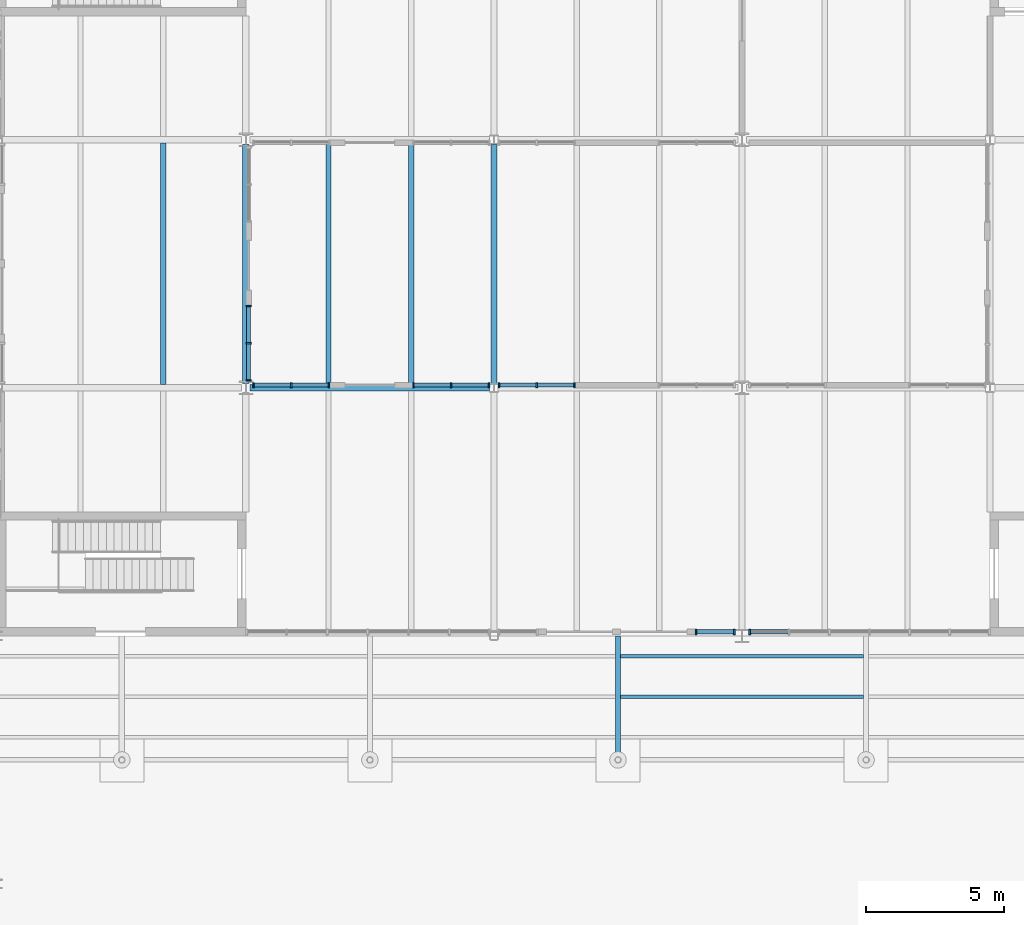
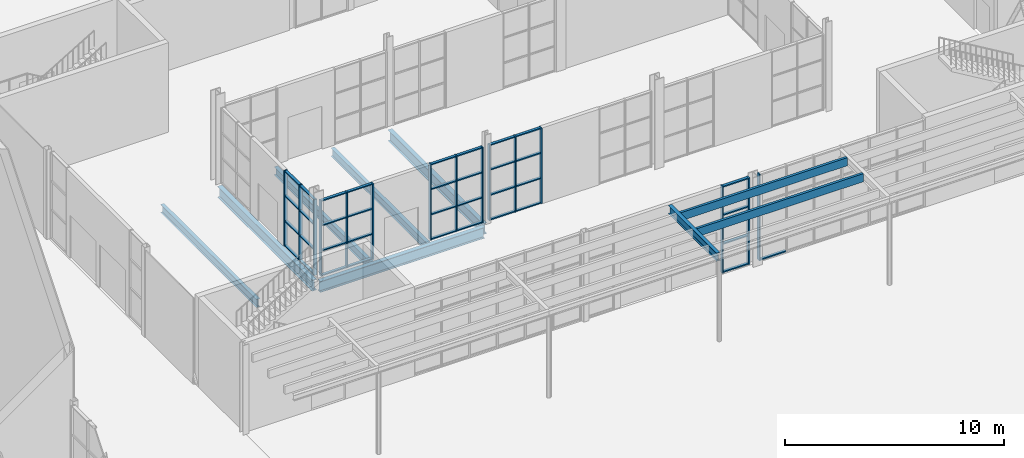
# One storey, part 14 of 63: 52 members, 9 beams, 6 elements without a shape of their own.
"""IFC4 building model written with IfcOpenShell, lengths in metres."""

from ifc_helpers import new_model, si_unit, direction, frame, origin, origin_2d, place, context, subcontext, project, spatial, rectangle, i_section, extrude, material, layer, layer_set, material_profile, profile_set, type_object, element, aggregate, save


model = new_model("IFC4")

# Units and contexts
model_context = context("Model", 3, precision=1e-05, world=origin(), true_north=direction((0.0, 1.0)))
body_context = subcontext(model_context, "Body", "Model", "MODEL_VIEW")
ifc_project = project(units=[si_unit("LENGTHUNIT", "METRE"), si_unit("AREAUNIT", "SQUARE_METRE"), si_unit("VOLUMEUNIT", "CUBIC_METRE"), si_unit("PLANEANGLEUNIT", "RADIAN"), si_unit("MASSUNIT", "GRAM", prefix="KILO")], contexts=[model_context])

# Site, building, storey
site_placement = place(None, origin())
site = spatial("IfcSite", under=ifc_project, at=site_placement, CompositionType="ELEMENT")
building_placement = place(site_placement, origin())
building = spatial("IfcBuilding", under=site, at=building_placement, Name="Halyard Row Museum", CompositionType="ELEMENT")
storey_placement = place(building_placement, origin())
storey = spatial("IfcBuildingStorey", under=building, at=storey_placement, Name="L00", CompositionType="ELEMENT", Elevation=0.0)

# Beams
ifc_material_1 = material(Name="Steel Grade 300", Category="steel")
ifc_material_profile_1 = material_profile(ifc_material_1, i_section(OverallWidth=0.18994140625, OverallDepth=0.453857421875, WebThickness=0.008544921875, FlangeThickness=0.0126953125, FilletRadius=0.011474609375, at=origin_2d()), Name="460UB67.1")
ifc_profile_set_1 = profile_set([ifc_material_profile_1], Name="Steel Grade 300")
beam_type_1 = type_object("IfcBeamType", Name="Canopy primary beam 460UB67.1", PredefinedType="BEAM", material=ifc_profile_set_1)
beam_1_placement = place(storey_placement, frame((49.5, 13.5830078125, 4.623046875), z_axis=(0.0, 1.0, 0.0), x_axis=(-1.0, 0.0, 0.0)))
element("IfcBeam", 1, at=beam_1_placement, inside=storey, type_object=beam_type_1, Name="Canopy primary beam 49.5", PredefinedType="BEAM", context=body_context, shape_type="SweptSolid", body=[
    extrude(i_section(OverallWidth=0.18994140625, OverallDepth=0.453857421875, WebThickness=0.008544921875, FlangeThickness=0.0126953125, FilletRadius=0.011474609375, at=origin_2d()), origin(), (0.0, 0.0, 1.0), 4.4169921875),
])
ifc_material_2 = material(Name="Glulam GL12 radiata pine", Category="wood")
ifc_material_profile_2 = material_profile(ifc_material_2, rectangle(XDim=0.135009765625, YDim=0.449951171875, at=origin_2d()), Name="GL12 135x450")
ifc_profile_set_2 = profile_set([ifc_material_profile_2], Name="Glulam GL12 radiata pine")
beam_type_2 = type_object("IfcBeamType", Name="Canopy soffit joist GL12 135x450", PredefinedType="JOIST", material=ifc_profile_set_2)
for number, where, z_axis, x_axis, name in (
    (2, (49.594970703125, 15.79150390625, 4.625), (1.0, 0.0, 0.0), (0.0, 1.0, 0.0), "Canopy soffit joist 4.2"),
    (3, (49.594970703125, 17.263916015625, 4.625), (1.0, 0.0, 0.0), (0.0, 1.0, 0.0), "Canopy soffit joist 4.3"),
):
    element("IfcBeam", number, at=place(storey_placement, frame(where, z_axis=z_axis, x_axis=x_axis)), inside=storey, type_object=beam_type_2, Name=name, PredefinedType="JOIST", context=body_context, shape_type="SweptSolid", body=[
        extrude(rectangle(XDim=0.135009765625, YDim=0.449951171875, at=origin_2d()), origin(), (0.0, 0.0, 1.0), 8.81005859375),
    ])

# Curtain wall, members
ifc_material_3 = material(Name="Double glazed unit, low-emissivity", Category="glass")
ifc_layer_1 = layer(ifc_material_3, 0.199951171875)
ifc_layer_set_1 = layer_set([ifc_layer_1], Name="Double glazed unit, low-emissivity")
curtain_wall_type_1 = type_object("IfcCurtainWallType", Name="Curtain wall shopfront 200 deep", PredefinedType="NOTDEFINED", material=ifc_layer_set_1)
curtain_wall_1_placement = place(storey_placement, origin())
curtain_wall_1 = element("IfcCurtainWall", 4, at=curtain_wall_1_placement, inside=storey, type_object=curtain_wall_type_1, Name="Curtain wall CW015", PredefinedType="NOTDEFINED")
ifc_material_4 = material(Name="Powder-coated aluminium section", Category="aluminium")
ifc_material_profile_3 = material_profile(ifc_material_4, rectangle(XDim=0.199951171875, YDim=0.06494140625, at=origin_2d()), Name="200x65 mullion")
ifc_profile_set_3 = profile_set([ifc_material_profile_3], Name="Powder-coated aluminium section")
member_type_1 = type_object("IfcMemberType", Name="Curtain wall mullion CM1 65 x 200", PredefinedType="MULLION", material=ifc_profile_set_3)
member_1_placement = place(storey_placement, frame((52.33251953125, 18.14990234375, 0.0), z_axis=(0.0, 0.0, 1.0), x_axis=(0.0, 1.0, 0.0)))
member_1 = element("IfcMember", 5, at=member_1_placement, type_object=member_type_1, Name="CW015 mullion 1", PredefinedType="MULLION", context=body_context, shape_type="SweptSolid", body=[
    extrude(rectangle(XDim=0.199951171875, YDim=0.06494140625, at=origin_2d()), origin(), (0.0, 0.0, 1.0), 4.8349609375),
])
member_2_placement = place(storey_placement, frame((53.717529296875, 18.14990234375, 0.0), z_axis=(0.0, 0.0, 1.0), x_axis=(0.0, 1.0, 0.0)))
member_2 = element("IfcMember", 6, at=member_2_placement, type_object=member_type_1, Name="CW015 mullion 2", PredefinedType="MULLION", context=body_context, shape_type="SweptSolid", body=[
    extrude(rectangle(XDim=0.199951171875, YDim=0.06494140625, at=origin_2d()), origin(), (0.0, 0.0, 1.0), 4.8349609375),
])

# Curtain wall, member
curtain_wall_2_placement = place(storey_placement, origin())
curtain_wall_2 = element("IfcCurtainWall", 7, at=curtain_wall_2_placement, inside=storey, type_object=curtain_wall_type_1, Name="Curtain wall CW016", PredefinedType="NOTDEFINED")
member_3_placement = place(storey_placement, frame((54.282470703125, 18.14990234375, 0.0), z_axis=(0.0, 0.0, 1.0), x_axis=(0.0, 1.0, 0.0)))
member_3 = element("IfcMember", 8, at=member_3_placement, type_object=member_type_1, Name="CW016 mullion 1", PredefinedType="MULLION", context=body_context, shape_type="SweptSolid", body=[
    extrude(rectangle(XDim=0.199951171875, YDim=0.06494140625, at=origin_2d()), origin(), (0.0, 0.0, 1.0), 4.8349609375),
])

# Curtain wall, members
ifc_material_5 = material(Name="Double glazed unit, low-emissivity", Category="glass")
ifc_layer_2 = layer(ifc_material_5, 0.179931640625)
ifc_layer_set_2 = layer_set([ifc_layer_2], Name="Double glazed unit, low-emissivity")
curtain_wall_type_2 = type_object("IfcCurtainWallType", Name="Curtain wall stick 180 deep", PredefinedType="NOTDEFINED", material=ifc_layer_set_2)
curtain_wall_3_placement = place(storey_placement, origin())
curtain_wall_3 = element("IfcCurtainWall", 9, at=curtain_wall_3_placement, inside=storey, type_object=curtain_wall_type_2, Name="Curtain wall CW120", PredefinedType="NOTDEFINED")
ifc_material_6 = material(Name="Powder-coated aluminium section", Category="aluminium")
ifc_material_profile_4 = material_profile(ifc_material_6, rectangle(XDim=0.179931640625, YDim=0.06005859375, at=origin_2d()), Name="180x60 mullion")
ifc_profile_set_4 = profile_set([ifc_material_profile_4], Name="Powder-coated aluminium section")
member_type_2 = type_object("IfcMemberType", Name="Curtain wall mullion CM2 60 x 180", PredefinedType="MULLION", material=ifc_profile_set_4)
member_4_placement = place(storey_placement, frame((36.280029296875, 27.10009765625, 0.0), z_axis=(0.0, 0.0, 1.0), x_axis=(0.0, 1.0, 0.0)))
member_4 = element("IfcMember", 10, at=member_4_placement, type_object=member_type_2, Name="CW120 mullion 1", PredefinedType="MULLION", context=body_context, shape_type="SweptSolid", body=[
    extrude(rectangle(XDim=0.179931640625, YDim=0.06005859375, at=origin_2d()), origin(), (0.0, 0.0, 1.0), 4.22802734375),
])
member_5_placement = place(storey_placement, frame((37.64892578125, 27.10009765625, 0.0), z_axis=(0.0, 0.0, 1.0), x_axis=(0.0, 1.0, 0.0)))
member_5 = element("IfcMember", 11, at=member_5_placement, type_object=member_type_2, Name="CW120 mullion 2", PredefinedType="MULLION", context=body_context, shape_type="SweptSolid", body=[
    extrude(rectangle(XDim=0.179931640625, YDim=0.06005859375, at=origin_2d()), origin(), (0.0, 0.0, 1.0), 4.22802734375),
])
member_6_placement = place(storey_placement, frame((39.017822265625, 27.10009765625, 0.0), z_axis=(0.0, 0.0, 1.0), x_axis=(0.0, 1.0, 0.0)))
member_6 = element("IfcMember", 12, at=member_6_placement, type_object=member_type_2, Name="CW120 mullion 3", PredefinedType="MULLION", context=body_context, shape_type="SweptSolid", body=[
    extrude(rectangle(XDim=0.179931640625, YDim=0.06005859375, at=origin_2d()), origin(), (0.0, 0.0, 1.0), 4.22802734375),
])

curtain_wall_4_placement = place(storey_placement, origin())
curtain_wall_4 = element("IfcCurtainWall", 13, at=curtain_wall_4_placement, inside=storey, type_object=curtain_wall_type_2, Name="Curtain wall CW121", PredefinedType="NOTDEFINED")
member_7_placement = place(storey_placement, frame((42.07763671875, 27.10009765625, 0.0), z_axis=(0.0, 0.0, 1.0), x_axis=(0.0, 1.0, 0.0)))
member_7 = element("IfcMember", 14, at=member_7_placement, type_object=member_type_2, Name="CW121 mullion 1", PredefinedType="MULLION", context=body_context, shape_type="SweptSolid", body=[
    extrude(rectangle(XDim=0.179931640625, YDim=0.06005859375, at=origin_2d()), origin(), (0.0, 0.0, 1.0), 4.22802734375),
])
member_8_placement = place(storey_placement, frame((43.446533203125, 27.10009765625, 0.0), z_axis=(0.0, 0.0, 1.0), x_axis=(0.0, 1.0, 0.0)))
member_8 = element("IfcMember", 15, at=member_8_placement, type_object=member_type_2, Name="CW121 mullion 2", PredefinedType="MULLION", context=body_context, shape_type="SweptSolid", body=[
    extrude(rectangle(XDim=0.179931640625, YDim=0.06005859375, at=origin_2d()), origin(), (0.0, 0.0, 1.0), 4.22802734375),
])
member_9_placement = place(storey_placement, frame((44.8154296875, 27.10009765625, 0.0), z_axis=(0.0, 0.0, 1.0), x_axis=(0.0, 1.0, 0.0)))
member_9 = element("IfcMember", 16, at=member_9_placement, type_object=member_type_2, Name="CW121 mullion 3", PredefinedType="MULLION", context=body_context, shape_type="SweptSolid", body=[
    extrude(rectangle(XDim=0.179931640625, YDim=0.06005859375, at=origin_2d()), origin(), (0.0, 0.0, 1.0), 4.22802734375),
])

curtain_wall_5_placement = place(storey_placement, origin())
curtain_wall_5 = element("IfcCurtainWall", 17, at=curtain_wall_5_placement, inside=storey, type_object=curtain_wall_type_2, Name="Curtain wall CW122", PredefinedType="NOTDEFINED")
member_10_placement = place(storey_placement, frame((45.1845703125, 27.10009765625, 0.0), z_axis=(0.0, 0.0, 1.0), x_axis=(0.0, 1.0, 0.0)))
member_10 = element("IfcMember", 18, at=member_10_placement, type_object=member_type_2, Name="CW122 mullion 1", PredefinedType="MULLION", context=body_context, shape_type="SweptSolid", body=[
    extrude(rectangle(XDim=0.179931640625, YDim=0.06005859375, at=origin_2d()), origin(), (0.0, 0.0, 1.0), 4.22802734375),
])
member_11_placement = place(storey_placement, frame((46.553466796875, 27.10009765625, 0.0), z_axis=(0.0, 0.0, 1.0), x_axis=(0.0, 1.0, 0.0)))
member_11 = element("IfcMember", 19, at=member_11_placement, type_object=member_type_2, Name="CW122 mullion 2", PredefinedType="MULLION", context=body_context, shape_type="SweptSolid", body=[
    extrude(rectangle(XDim=0.179931640625, YDim=0.06005859375, at=origin_2d()), origin(), (0.0, 0.0, 1.0), 4.22802734375),
])
member_12_placement = place(storey_placement, frame((47.92236328125, 27.10009765625, 0.0), z_axis=(0.0, 0.0, 1.0), x_axis=(0.0, 1.0, 0.0)))
member_12 = element("IfcMember", 20, at=member_12_placement, type_object=member_type_2, Name="CW122 mullion 3", PredefinedType="MULLION", context=body_context, shape_type="SweptSolid", body=[
    extrude(rectangle(XDim=0.179931640625, YDim=0.06005859375, at=origin_2d()), origin(), (0.0, 0.0, 1.0), 4.22802734375),
])

curtain_wall_6_placement = place(storey_placement, origin())
curtain_wall_6 = element("IfcCurtainWall", 21, at=curtain_wall_6_placement, inside=storey, type_object=curtain_wall_type_2, Name="Curtain wall CW126", PredefinedType="NOTDEFINED")
member_13_placement = place(storey_placement, frame((36.10009765625, 27.27001953125, 0.0), z_axis=(0.0, 0.0, 1.0), x_axis=(-1.0, 0.0, 0.0)))
member_13 = element("IfcMember", 22, at=member_13_placement, type_object=member_type_2, Name="CW126 mullion 1", PredefinedType="MULLION", context=body_context, shape_type="SweptSolid", body=[
    extrude(rectangle(XDim=0.179931640625, YDim=0.06005859375, at=origin_2d()), origin(), (0.0, 0.0, 1.0), 4.22802734375),
])
member_14_placement = place(storey_placement, frame((36.10009765625, 28.6201171875, 0.0), z_axis=(0.0, 0.0, 1.0), x_axis=(-1.0, 0.0, 0.0)))
member_14 = element("IfcMember", 23, at=member_14_placement, type_object=member_type_2, Name="CW126 mullion 2", PredefinedType="MULLION", context=body_context, shape_type="SweptSolid", body=[
    extrude(rectangle(XDim=0.179931640625, YDim=0.06005859375, at=origin_2d()), origin(), (0.0, 0.0, 1.0), 4.22802734375),
])
member_15_placement = place(storey_placement, frame((36.10009765625, 29.969970703125, 0.0), z_axis=(0.0, 0.0, 1.0), x_axis=(-1.0, 0.0, 0.0)))
member_15 = element("IfcMember", 24, at=member_15_placement, type_object=member_type_2, Name="CW126 mullion 3", PredefinedType="MULLION", context=body_context, shape_type="SweptSolid", body=[
    extrude(rectangle(XDim=0.179931640625, YDim=0.06005859375, at=origin_2d()), origin(), (0.0, 0.0, 1.0), 4.22802734375),
])

# Member
ifc_material_7 = material(Name="Powder-coated aluminium section", Category="aluminium")
ifc_material_profile_5 = material_profile(ifc_material_7, rectangle(XDim=0.14990234375, YDim=0.06494140625, at=origin_2d()), Name="150x65 transom")
ifc_profile_set_5 = profile_set([ifc_material_profile_5], Name="Powder-coated aluminium section")
member_type_3 = type_object("IfcMemberType", Name="Curtain wall transom CT1 65 x 150", PredefinedType="USERDEFINED", material=ifc_profile_set_5)
member_16_placement = place(storey_placement, frame((52.364990234375, 18.14990234375, 0.032470703125), z_axis=(1.0, 0.0, 0.0), x_axis=(0.0, 1.0, 0.0)))
member_16 = element("IfcMember", 25, at=member_16_placement, type_object=member_type_3, Name="CW015 transom 1.1", ObjectType="TRANSOM", PredefinedType="USERDEFINED", context=body_context, shape_type="SweptSolid", body=[
    extrude(rectangle(XDim=0.14990234375, YDim=0.06494140625, at=origin_2d()), origin(), (0.0, 0.0, 1.0), 1.320068359375),
])

member_17_placement = place(storey_placement, frame((52.364990234375, 18.14990234375, 1.611572265625), z_axis=(1.0, 0.0, 0.0), x_axis=(0.0, 1.0, 0.0)))
member_17 = element("IfcMember", 26, at=member_17_placement, type_object=member_type_3, Name="CW015 transom 1.2", ObjectType="TRANSOM", PredefinedType="USERDEFINED", context=body_context, shape_type="SweptSolid", body=[
    extrude(rectangle(XDim=0.14990234375, YDim=0.06494140625, at=origin_2d()), origin(), (0.0, 0.0, 1.0), 1.320068359375),
])

member_18_placement = place(storey_placement, frame((52.364990234375, 18.14990234375, 3.223388671875), z_axis=(1.0, 0.0, 0.0), x_axis=(0.0, 1.0, 0.0)))
member_18 = element("IfcMember", 27, at=member_18_placement, type_object=member_type_3, Name="CW015 transom 1.3", ObjectType="TRANSOM", PredefinedType="USERDEFINED", context=body_context, shape_type="SweptSolid", body=[
    extrude(rectangle(XDim=0.14990234375, YDim=0.06494140625, at=origin_2d()), origin(), (0.0, 0.0, 1.0), 1.320068359375),
])

member_19_placement = place(storey_placement, frame((52.364990234375, 18.14990234375, 4.802490234375), z_axis=(1.0, 0.0, 0.0), x_axis=(0.0, 1.0, 0.0)))
member_19 = element("IfcMember", 28, at=member_19_placement, type_object=member_type_3, Name="CW015 transom 1.4", ObjectType="TRANSOM", PredefinedType="USERDEFINED", context=body_context, shape_type="SweptSolid", body=[
    extrude(rectangle(XDim=0.14990234375, YDim=0.06494140625, at=origin_2d()), origin(), (0.0, 0.0, 1.0), 1.320068359375),
])

aggregate(curtain_wall_1, [member_1, member_2, member_16, member_17, member_18, member_19])

member_20_placement = place(storey_placement, frame((54.31494140625, 18.14990234375, 0.032470703125), z_axis=(1.0, 0.0, 0.0), x_axis=(0.0, 1.0, 0.0)))
member_20 = element("IfcMember", 29, at=member_20_placement, type_object=member_type_3, Name="CW016 transom 1.1", ObjectType="TRANSOM", PredefinedType="USERDEFINED", context=body_context, shape_type="SweptSolid", body=[
    extrude(rectangle(XDim=0.14990234375, YDim=0.06494140625, at=origin_2d()), origin(), (0.0, 0.0, 1.0), 1.36083984375),
])

aggregate(curtain_wall_2, [member_3, member_20])

ifc_material_8 = material(Name="Powder-coated aluminium section", Category="aluminium")
ifc_material_profile_6 = material_profile(ifc_material_8, rectangle(XDim=0.139892578125, YDim=0.06005859375, at=origin_2d()), Name="140x60 transom")
ifc_profile_set_6 = profile_set([ifc_material_profile_6], Name="Powder-coated aluminium section")
member_type_4 = type_object("IfcMemberType", Name="Curtain wall transom CT2 60 x 140", PredefinedType="USERDEFINED", material=ifc_profile_set_6)
member_21_placement = place(storey_placement, frame((36.31005859375, 27.10009765625, 0.030029296875), z_axis=(1.0, 0.0, 0.0), x_axis=(0.0, 1.0, 0.0)))
member_21 = element("IfcMember", 30, at=member_21_placement, type_object=member_type_4, Name="CW120 transom 1.1", ObjectType="TRANSOM", PredefinedType="USERDEFINED", context=body_context, shape_type="SweptSolid", body=[
    extrude(rectangle(XDim=0.139892578125, YDim=0.06005859375, at=origin_2d()), origin(), (0.0, 0.0, 1.0), 1.308837890625),
])

member_22_placement = place(storey_placement, frame((36.31005859375, 27.10009765625, 1.409423828125), z_axis=(1.0, 0.0, 0.0), x_axis=(0.0, 1.0, 0.0)))
member_22 = element("IfcMember", 31, at=member_22_placement, type_object=member_type_4, Name="CW120 transom 1.2", ObjectType="TRANSOM", PredefinedType="USERDEFINED", context=body_context, shape_type="SweptSolid", body=[
    extrude(rectangle(XDim=0.139892578125, YDim=0.06005859375, at=origin_2d()), origin(), (0.0, 0.0, 1.0), 1.308837890625),
])

member_23_placement = place(storey_placement, frame((36.31005859375, 27.10009765625, 2.818603515625), z_axis=(1.0, 0.0, 0.0), x_axis=(0.0, 1.0, 0.0)))
member_23 = element("IfcMember", 32, at=member_23_placement, type_object=member_type_4, Name="CW120 transom 1.3", ObjectType="TRANSOM", PredefinedType="USERDEFINED", context=body_context, shape_type="SweptSolid", body=[
    extrude(rectangle(XDim=0.139892578125, YDim=0.06005859375, at=origin_2d()), origin(), (0.0, 0.0, 1.0), 1.308837890625),
])

member_24_placement = place(storey_placement, frame((36.31005859375, 27.10009765625, 4.197998046875), z_axis=(1.0, 0.0, 0.0), x_axis=(0.0, 1.0, 0.0)))
member_24 = element("IfcMember", 33, at=member_24_placement, type_object=member_type_4, Name="CW120 transom 1.4", ObjectType="TRANSOM", PredefinedType="USERDEFINED", context=body_context, shape_type="SweptSolid", body=[
    extrude(rectangle(XDim=0.139892578125, YDim=0.06005859375, at=origin_2d()), origin(), (0.0, 0.0, 1.0), 1.308837890625),
])

member_25_placement = place(storey_placement, frame((37.678955078125, 27.10009765625, 0.030029296875), z_axis=(1.0, 0.0, 0.0), x_axis=(0.0, 1.0, 0.0)))
member_25 = element("IfcMember", 34, at=member_25_placement, type_object=member_type_4, Name="CW120 transom 2.1", ObjectType="TRANSOM", PredefinedType="USERDEFINED", context=body_context, shape_type="SweptSolid", body=[
    extrude(rectangle(XDim=0.139892578125, YDim=0.06005859375, at=origin_2d()), origin(), (0.0, 0.0, 1.0), 1.308837890625),
])

member_26_placement = place(storey_placement, frame((37.678955078125, 27.10009765625, 1.409423828125), z_axis=(1.0, 0.0, 0.0), x_axis=(0.0, 1.0, 0.0)))
member_26 = element("IfcMember", 35, at=member_26_placement, type_object=member_type_4, Name="CW120 transom 2.2", ObjectType="TRANSOM", PredefinedType="USERDEFINED", context=body_context, shape_type="SweptSolid", body=[
    extrude(rectangle(XDim=0.139892578125, YDim=0.06005859375, at=origin_2d()), origin(), (0.0, 0.0, 1.0), 1.308837890625),
])

member_27_placement = place(storey_placement, frame((37.678955078125, 27.10009765625, 2.818603515625), z_axis=(1.0, 0.0, 0.0), x_axis=(0.0, 1.0, 0.0)))
member_27 = element("IfcMember", 36, at=member_27_placement, type_object=member_type_4, Name="CW120 transom 2.3", ObjectType="TRANSOM", PredefinedType="USERDEFINED", context=body_context, shape_type="SweptSolid", body=[
    extrude(rectangle(XDim=0.139892578125, YDim=0.06005859375, at=origin_2d()), origin(), (0.0, 0.0, 1.0), 1.308837890625),
])

member_28_placement = place(storey_placement, frame((37.678955078125, 27.10009765625, 4.197998046875), z_axis=(1.0, 0.0, 0.0), x_axis=(0.0, 1.0, 0.0)))
member_28 = element("IfcMember", 37, at=member_28_placement, type_object=member_type_4, Name="CW120 transom 2.4", ObjectType="TRANSOM", PredefinedType="USERDEFINED", context=body_context, shape_type="SweptSolid", body=[
    extrude(rectangle(XDim=0.139892578125, YDim=0.06005859375, at=origin_2d()), origin(), (0.0, 0.0, 1.0), 1.308837890625),
])

aggregate(curtain_wall_3, [member_4, member_5, member_6, member_21, member_22, member_23, member_24, member_25, member_26, member_27, member_28])

member_29_placement = place(storey_placement, frame((42.107666015625, 27.10009765625, 0.030029296875), z_axis=(1.0, 0.0, 0.0), x_axis=(0.0, 1.0, 0.0)))
member_29 = element("IfcMember", 38, at=member_29_placement, type_object=member_type_4, Name="CW121 transom 1.1", ObjectType="TRANSOM", PredefinedType="USERDEFINED", context=body_context, shape_type="SweptSolid", body=[
    extrude(rectangle(XDim=0.139892578125, YDim=0.06005859375, at=origin_2d()), origin(), (0.0, 0.0, 1.0), 1.308837890625),
])

member_30_placement = place(storey_placement, frame((42.107666015625, 27.10009765625, 1.409423828125), z_axis=(1.0, 0.0, 0.0), x_axis=(0.0, 1.0, 0.0)))
member_30 = element("IfcMember", 39, at=member_30_placement, type_object=member_type_4, Name="CW121 transom 1.2", ObjectType="TRANSOM", PredefinedType="USERDEFINED", context=body_context, shape_type="SweptSolid", body=[
    extrude(rectangle(XDim=0.139892578125, YDim=0.06005859375, at=origin_2d()), origin(), (0.0, 0.0, 1.0), 1.308837890625),
])

member_31_placement = place(storey_placement, frame((42.107666015625, 27.10009765625, 2.818603515625), z_axis=(1.0, 0.0, 0.0), x_axis=(0.0, 1.0, 0.0)))
member_31 = element("IfcMember", 40, at=member_31_placement, type_object=member_type_4, Name="CW121 transom 1.3", ObjectType="TRANSOM", PredefinedType="USERDEFINED", context=body_context, shape_type="SweptSolid", body=[
    extrude(rectangle(XDim=0.139892578125, YDim=0.06005859375, at=origin_2d()), origin(), (0.0, 0.0, 1.0), 1.308837890625),
])

member_32_placement = place(storey_placement, frame((42.107666015625, 27.10009765625, 4.197998046875), z_axis=(1.0, 0.0, 0.0), x_axis=(0.0, 1.0, 0.0)))
member_32 = element("IfcMember", 41, at=member_32_placement, type_object=member_type_4, Name="CW121 transom 1.4", ObjectType="TRANSOM", PredefinedType="USERDEFINED", context=body_context, shape_type="SweptSolid", body=[
    extrude(rectangle(XDim=0.139892578125, YDim=0.06005859375, at=origin_2d()), origin(), (0.0, 0.0, 1.0), 1.308837890625),
])

member_33_placement = place(storey_placement, frame((43.4765625, 27.10009765625, 0.030029296875), z_axis=(1.0, 0.0, 0.0), x_axis=(0.0, 1.0, 0.0)))
member_33 = element("IfcMember", 42, at=member_33_placement, type_object=member_type_4, Name="CW121 transom 2.1", ObjectType="TRANSOM", PredefinedType="USERDEFINED", context=body_context, shape_type="SweptSolid", body=[
    extrude(rectangle(XDim=0.139892578125, YDim=0.06005859375, at=origin_2d()), origin(), (0.0, 0.0, 1.0), 1.308837890625),
])

member_34_placement = place(storey_placement, frame((43.4765625, 27.10009765625, 1.409423828125), z_axis=(1.0, 0.0, 0.0), x_axis=(0.0, 1.0, 0.0)))
member_34 = element("IfcMember", 43, at=member_34_placement, type_object=member_type_4, Name="CW121 transom 2.2", ObjectType="TRANSOM", PredefinedType="USERDEFINED", context=body_context, shape_type="SweptSolid", body=[
    extrude(rectangle(XDim=0.139892578125, YDim=0.06005859375, at=origin_2d()), origin(), (0.0, 0.0, 1.0), 1.308837890625),
])

member_35_placement = place(storey_placement, frame((43.4765625, 27.10009765625, 2.818603515625), z_axis=(1.0, 0.0, 0.0), x_axis=(0.0, 1.0, 0.0)))
member_35 = element("IfcMember", 44, at=member_35_placement, type_object=member_type_4, Name="CW121 transom 2.3", ObjectType="TRANSOM", PredefinedType="USERDEFINED", context=body_context, shape_type="SweptSolid", body=[
    extrude(rectangle(XDim=0.139892578125, YDim=0.06005859375, at=origin_2d()), origin(), (0.0, 0.0, 1.0), 1.308837890625),
])

member_36_placement = place(storey_placement, frame((43.4765625, 27.10009765625, 4.197998046875), z_axis=(1.0, 0.0, 0.0), x_axis=(0.0, 1.0, 0.0)))
member_36 = element("IfcMember", 45, at=member_36_placement, type_object=member_type_4, Name="CW121 transom 2.4", ObjectType="TRANSOM", PredefinedType="USERDEFINED", context=body_context, shape_type="SweptSolid", body=[
    extrude(rectangle(XDim=0.139892578125, YDim=0.06005859375, at=origin_2d()), origin(), (0.0, 0.0, 1.0), 1.308837890625),
])

aggregate(curtain_wall_4, [member_7, member_8, member_9, member_29, member_30, member_31, member_32, member_33, member_34, member_35, member_36])

member_37_placement = place(storey_placement, frame((45.214599609375, 27.10009765625, 0.030029296875), z_axis=(1.0, 0.0, 0.0), x_axis=(0.0, 1.0, 0.0)))
member_37 = element("IfcMember", 46, at=member_37_placement, type_object=member_type_4, Name="CW122 transom 1.1", ObjectType="TRANSOM", PredefinedType="USERDEFINED", context=body_context, shape_type="SweptSolid", body=[
    extrude(rectangle(XDim=0.139892578125, YDim=0.06005859375, at=origin_2d()), origin(), (0.0, 0.0, 1.0), 1.308837890625),
])

member_38_placement = place(storey_placement, frame((45.214599609375, 27.10009765625, 1.409423828125), z_axis=(1.0, 0.0, 0.0), x_axis=(0.0, 1.0, 0.0)))
member_38 = element("IfcMember", 47, at=member_38_placement, type_object=member_type_4, Name="CW122 transom 1.2", ObjectType="TRANSOM", PredefinedType="USERDEFINED", context=body_context, shape_type="SweptSolid", body=[
    extrude(rectangle(XDim=0.139892578125, YDim=0.06005859375, at=origin_2d()), origin(), (0.0, 0.0, 1.0), 1.308837890625),
])

member_39_placement = place(storey_placement, frame((45.214599609375, 27.10009765625, 2.818603515625), z_axis=(1.0, 0.0, 0.0), x_axis=(0.0, 1.0, 0.0)))
member_39 = element("IfcMember", 48, at=member_39_placement, type_object=member_type_4, Name="CW122 transom 1.3", ObjectType="TRANSOM", PredefinedType="USERDEFINED", context=body_context, shape_type="SweptSolid", body=[
    extrude(rectangle(XDim=0.139892578125, YDim=0.06005859375, at=origin_2d()), origin(), (0.0, 0.0, 1.0), 1.308837890625),
])

member_40_placement = place(storey_placement, frame((45.214599609375, 27.10009765625, 4.197998046875), z_axis=(1.0, 0.0, 0.0), x_axis=(0.0, 1.0, 0.0)))
member_40 = element("IfcMember", 49, at=member_40_placement, type_object=member_type_4, Name="CW122 transom 1.4", ObjectType="TRANSOM", PredefinedType="USERDEFINED", context=body_context, shape_type="SweptSolid", body=[
    extrude(rectangle(XDim=0.139892578125, YDim=0.06005859375, at=origin_2d()), origin(), (0.0, 0.0, 1.0), 1.308837890625),
])

member_41_placement = place(storey_placement, frame((46.58349609375, 27.10009765625, 0.030029296875), z_axis=(1.0, 0.0, 0.0), x_axis=(0.0, 1.0, 0.0)))
member_41 = element("IfcMember", 50, at=member_41_placement, type_object=member_type_4, Name="CW122 transom 2.1", ObjectType="TRANSOM", PredefinedType="USERDEFINED", context=body_context, shape_type="SweptSolid", body=[
    extrude(rectangle(XDim=0.139892578125, YDim=0.06005859375, at=origin_2d()), origin(), (0.0, 0.0, 1.0), 1.308837890625),
])

member_42_placement = place(storey_placement, frame((46.58349609375, 27.10009765625, 1.409423828125), z_axis=(1.0, 0.0, 0.0), x_axis=(0.0, 1.0, 0.0)))
member_42 = element("IfcMember", 51, at=member_42_placement, type_object=member_type_4, Name="CW122 transom 2.2", ObjectType="TRANSOM", PredefinedType="USERDEFINED", context=body_context, shape_type="SweptSolid", body=[
    extrude(rectangle(XDim=0.139892578125, YDim=0.06005859375, at=origin_2d()), origin(), (0.0, 0.0, 1.0), 1.308837890625),
])

member_43_placement = place(storey_placement, frame((46.58349609375, 27.10009765625, 2.818603515625), z_axis=(1.0, 0.0, 0.0), x_axis=(0.0, 1.0, 0.0)))
member_43 = element("IfcMember", 52, at=member_43_placement, type_object=member_type_4, Name="CW122 transom 2.3", ObjectType="TRANSOM", PredefinedType="USERDEFINED", context=body_context, shape_type="SweptSolid", body=[
    extrude(rectangle(XDim=0.139892578125, YDim=0.06005859375, at=origin_2d()), origin(), (0.0, 0.0, 1.0), 1.308837890625),
])

member_44_placement = place(storey_placement, frame((46.58349609375, 27.10009765625, 4.197998046875), z_axis=(1.0, 0.0, 0.0), x_axis=(0.0, 1.0, 0.0)))
member_44 = element("IfcMember", 53, at=member_44_placement, type_object=member_type_4, Name="CW122 transom 2.4", ObjectType="TRANSOM", PredefinedType="USERDEFINED", context=body_context, shape_type="SweptSolid", body=[
    extrude(rectangle(XDim=0.139892578125, YDim=0.06005859375, at=origin_2d()), origin(), (0.0, 0.0, 1.0), 1.308837890625),
])

aggregate(curtain_wall_5, [member_10, member_11, member_12, member_37, member_38, member_39, member_40, member_41, member_42, member_43, member_44])

member_45_placement = place(storey_placement, frame((36.10009765625, 27.300048828125, 0.030029296875), z_axis=(0.0, 1.0, 0.0), x_axis=(-1.0, 0.0, 0.0)))
member_45 = element("IfcMember", 54, at=member_45_placement, type_object=member_type_4, Name="CW126 transom 1.1", ObjectType="TRANSOM", PredefinedType="USERDEFINED", context=body_context, shape_type="SweptSolid", body=[
    extrude(rectangle(XDim=0.139892578125, YDim=0.06005859375, at=origin_2d()), origin(), (0.0, 0.0, 1.0), 1.2900390625),
])

member_46_placement = place(storey_placement, frame((36.10009765625, 27.300048828125, 1.409423828125), z_axis=(0.0, 1.0, 0.0), x_axis=(-1.0, 0.0, 0.0)))
member_46 = element("IfcMember", 55, at=member_46_placement, type_object=member_type_4, Name="CW126 transom 1.2", ObjectType="TRANSOM", PredefinedType="USERDEFINED", context=body_context, shape_type="SweptSolid", body=[
    extrude(rectangle(XDim=0.139892578125, YDim=0.06005859375, at=origin_2d()), origin(), (0.0, 0.0, 1.0), 1.2900390625),
])

member_47_placement = place(storey_placement, frame((36.10009765625, 27.300048828125, 2.818603515625), z_axis=(0.0, 1.0, 0.0), x_axis=(-1.0, 0.0, 0.0)))
member_47 = element("IfcMember", 56, at=member_47_placement, type_object=member_type_4, Name="CW126 transom 1.3", ObjectType="TRANSOM", PredefinedType="USERDEFINED", context=body_context, shape_type="SweptSolid", body=[
    extrude(rectangle(XDim=0.139892578125, YDim=0.06005859375, at=origin_2d()), origin(), (0.0, 0.0, 1.0), 1.2900390625),
])

member_48_placement = place(storey_placement, frame((36.10009765625, 27.300048828125, 4.197998046875), z_axis=(0.0, 1.0, 0.0), x_axis=(-1.0, 0.0, 0.0)))
member_48 = element("IfcMember", 57, at=member_48_placement, type_object=member_type_4, Name="CW126 transom 1.4", ObjectType="TRANSOM", PredefinedType="USERDEFINED", context=body_context, shape_type="SweptSolid", body=[
    extrude(rectangle(XDim=0.139892578125, YDim=0.06005859375, at=origin_2d()), origin(), (0.0, 0.0, 1.0), 1.2900390625),
])

member_49_placement = place(storey_placement, frame((36.10009765625, 28.64990234375, 0.030029296875), z_axis=(0.0, 1.0, 0.0), x_axis=(-1.0, 0.0, 0.0)))
member_49 = element("IfcMember", 58, at=member_49_placement, type_object=member_type_4, Name="CW126 transom 2.1", ObjectType="TRANSOM", PredefinedType="USERDEFINED", context=body_context, shape_type="SweptSolid", body=[
    extrude(rectangle(XDim=0.139892578125, YDim=0.06005859375, at=origin_2d()), origin(), (0.0, 0.0, 1.0), 1.2900390625),
])

member_50_placement = place(storey_placement, frame((36.10009765625, 28.64990234375, 1.409423828125), z_axis=(0.0, 1.0, 0.0), x_axis=(-1.0, 0.0, 0.0)))
member_50 = element("IfcMember", 59, at=member_50_placement, type_object=member_type_4, Name="CW126 transom 2.2", ObjectType="TRANSOM", PredefinedType="USERDEFINED", context=body_context, shape_type="SweptSolid", body=[
    extrude(rectangle(XDim=0.139892578125, YDim=0.06005859375, at=origin_2d()), origin(), (0.0, 0.0, 1.0), 1.2900390625),
])

member_51_placement = place(storey_placement, frame((36.10009765625, 28.64990234375, 2.818603515625), z_axis=(0.0, 1.0, 0.0), x_axis=(-1.0, 0.0, 0.0)))
member_51 = element("IfcMember", 60, at=member_51_placement, type_object=member_type_4, Name="CW126 transom 2.3", ObjectType="TRANSOM", PredefinedType="USERDEFINED", context=body_context, shape_type="SweptSolid", body=[
    extrude(rectangle(XDim=0.139892578125, YDim=0.06005859375, at=origin_2d()), origin(), (0.0, 0.0, 1.0), 1.2900390625),
])

member_52_placement = place(storey_placement, frame((36.10009765625, 28.64990234375, 4.197998046875), z_axis=(0.0, 1.0, 0.0), x_axis=(-1.0, 0.0, 0.0)))
member_52 = element("IfcMember", 61, at=member_52_placement, type_object=member_type_4, Name="CW126 transom 2.4", ObjectType="TRANSOM", PredefinedType="USERDEFINED", context=body_context, shape_type="SweptSolid", body=[
    extrude(rectangle(XDim=0.139892578125, YDim=0.06005859375, at=origin_2d()), origin(), (0.0, 0.0, 1.0), 1.2900390625),
])

aggregate(curtain_wall_6, [member_13, member_14, member_15, member_45, member_46, member_47, member_48, member_49, member_50, member_51, member_52])

# Beams
ifc_material_9 = material(Name="Steel Grade 300", Category="steel")
ifc_material_profile_7 = material_profile(ifc_material_9, i_section(OverallWidth=0.22900390625, OverallDepth=0.611572265625, WebThickness=0.011962890625, FlangeThickness=0.01953125, FilletRadius=0.013916015625, at=origin_2d()), Name="610UB125")
ifc_profile_set_7 = profile_set([ifc_material_profile_7], Name="Steel Grade 300")
beam_type_3 = type_object("IfcBeamType", Name="Girder beam 610UB125", PredefinedType="BEAM", material=ifc_profile_set_7)
beam_2_placement = place(storey_placement, frame((36.155517578125, 27.0, -0.470703125), z_axis=(1.0, 0.0, 0.0), x_axis=(0.0, 1.0, 0.0)))
element("IfcBeam", 62, at=beam_2_placement, inside=storey, type_object=beam_type_3, Name="Beam L00-016", PredefinedType="BEAM", context=body_context, shape_type="SweptSolid", body=[
    extrude(i_section(OverallWidth=0.22900390625, OverallDepth=0.611572265625, WebThickness=0.011962890625, FlangeThickness=0.01953125, FilletRadius=0.013916015625, at=origin_2d()), origin(), (0.0, 0.0, 1.0), 8.68896484375),
])
for number, where, z_axis, x_axis, name in (
    (63, (36.0, 27.16357421875, -0.470703125), (0.0, 1.0, 0.0), (-1.0, 0.0, 0.0), "Beam L00-048"),
    (64, (45.0, 27.16357421875, -0.470703125), (0.0, 1.0, 0.0), (-1.0, 0.0, 0.0), "Beam L00-051"),
):
    element("IfcBeam", number, at=place(storey_placement, frame(where, z_axis=z_axis, x_axis=x_axis)), inside=storey, type_object=beam_type_3, Name=name, PredefinedType="BEAM", context=body_context, shape_type="SweptSolid", body=[
        extrude(i_section(OverallWidth=0.22900390625, OverallDepth=0.611572265625, WebThickness=0.011962890625, FlangeThickness=0.01953125, FilletRadius=0.013916015625, at=origin_2d()), origin(), (0.0, 0.0, 1.0), 8.6728515625),
    ])
ifc_material_10 = material(Name="Steel Grade 300", Category="steel")
ifc_material_profile_8 = material_profile(ifc_material_10, i_section(OverallWidth=0.18994140625, OverallDepth=0.453857421875, WebThickness=0.008544921875, FlangeThickness=0.0126953125, FilletRadius=0.011474609375, at=origin_2d()), Name="460UB67.1")
ifc_profile_set_8 = profile_set([ifc_material_profile_8], Name="Steel Grade 300")
beam_type_4 = type_object("IfcBeamType", Name="Secondary beam 460UB67.1", PredefinedType="BEAM", material=ifc_profile_set_8)
for number, where, z_axis, x_axis, name in (
    (65, (33.0, 27.114501953125, -0.391845703125), (0.0, 1.0, 0.0), (-1.0, 0.0, 0.0), "Beam L00-126"),
    (66, (39.0, 27.114501953125, -0.391845703125), (0.0, 1.0, 0.0), (-1.0, 0.0, 0.0), "Beam L00-127"),
    (67, (42.0, 27.114501953125, -0.391845703125), (0.0, 1.0, 0.0), (-1.0, 0.0, 0.0), "Beam L00-128"),
):
    element("IfcBeam", number, at=place(storey_placement, frame(where, z_axis=z_axis, x_axis=x_axis)), inside=storey, type_object=beam_type_4, Name=name, PredefinedType="BEAM", context=body_context, shape_type="SweptSolid", body=[
        extrude(i_section(OverallWidth=0.18994140625, OverallDepth=0.453857421875, WebThickness=0.008544921875, FlangeThickness=0.0126953125, FilletRadius=0.011474609375, at=origin_2d()), origin(), (0.0, 0.0, 1.0), 8.77099609375),
    ])

save(model, "model.ifc")
